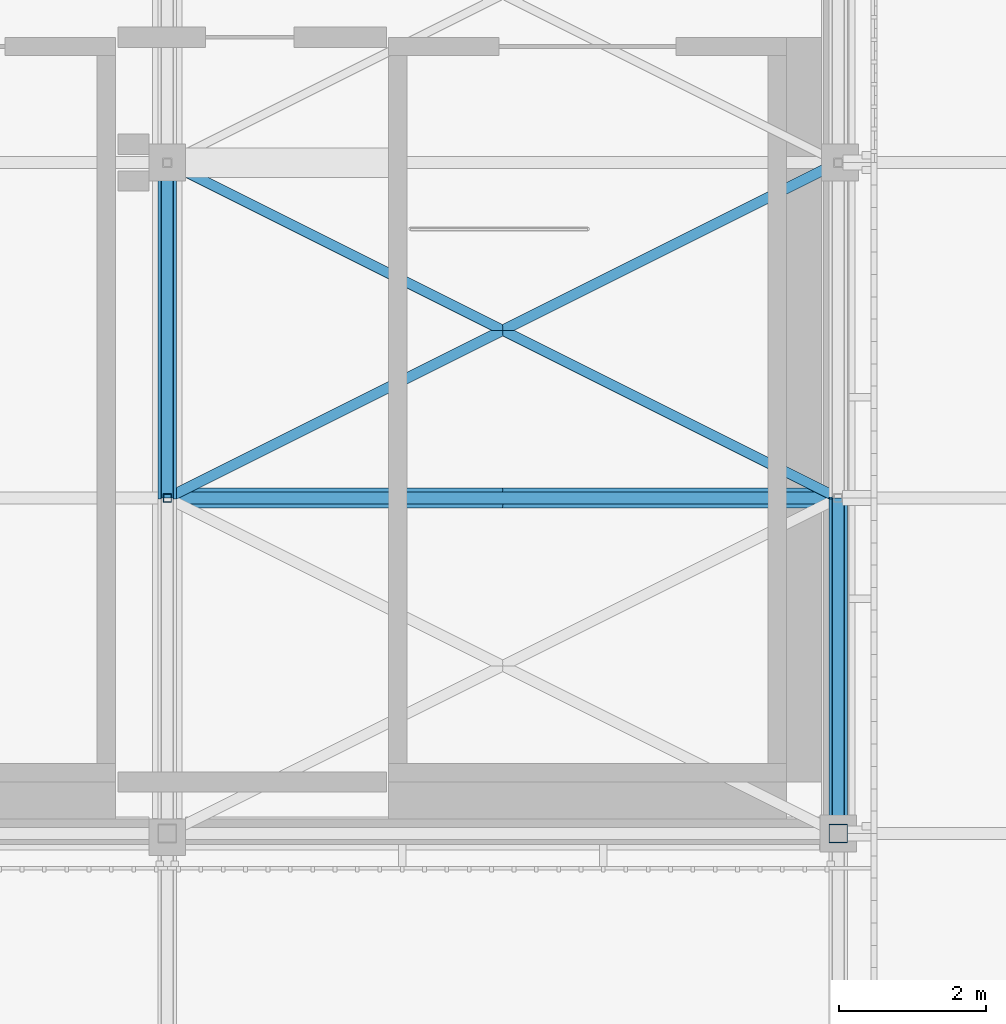
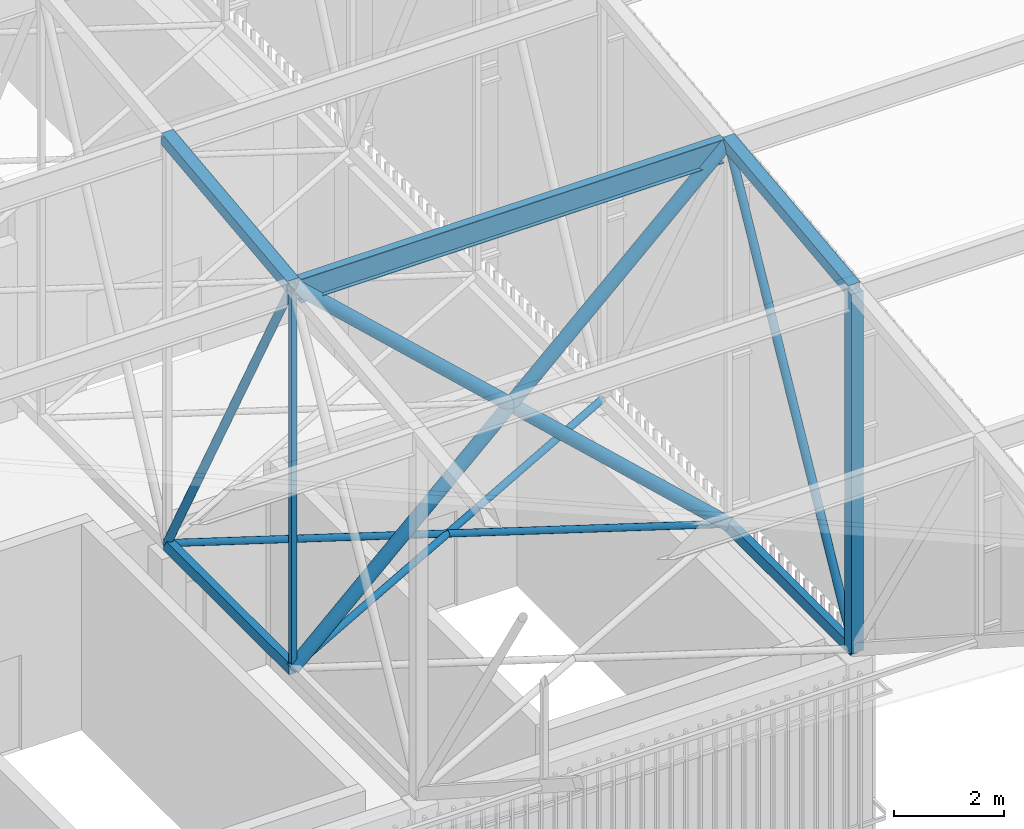
# One storey, part 333 of 500: 13 members.
"""IFC4 building model written with IfcOpenShell, lengths in metres."""

from ifc_helpers import new_model, si_unit, direction, frame, origin, origin_2d, place, context, subcontext, project, spatial, hollow_rectangle, hollow_circle, i_section, extrude, material, material_profile, profile_set, type_object, element, save


model = new_model("IFC4")

# Units and contexts
model_context = context("Model", 3, precision=1e-05, world=origin(), true_north=direction((0.0, 1.0)))
body_context = subcontext(model_context, "Body", "Model", "MODEL_VIEW")
ifc_project = project(units=[si_unit("LENGTHUNIT", "METRE"), si_unit("AREAUNIT", "SQUARE_METRE"), si_unit("VOLUMEUNIT", "CUBIC_METRE"), si_unit("PLANEANGLEUNIT", "RADIAN"), si_unit("MASSUNIT", "GRAM", prefix="KILO")], contexts=[model_context])

# Site, building, storey
site_placement = place(None, origin())
site = spatial("IfcSite", under=ifc_project, at=site_placement, CompositionType="ELEMENT")
building_placement = place(site_placement, origin())
building = spatial("IfcBuilding", under=site, at=building_placement, Name="Shirokan Park Arena", CompositionType="ELEMENT")
storey_placement = place(building_placement, frame((0.0, 0.0, 29.1201171875)))
storey = spatial("IfcBuildingStorey", under=building, at=storey_placement, Name="L06", CompositionType="ELEMENT", Elevation=29.1201171875)

# Members
ifc_material_1 = material(Name="Steel ASTM A500 Grade C", Category="steel")
ifc_material_profile_1 = material_profile(ifc_material_1, hollow_circle(Radius=0.136474609375, WallThickness=0.009521484375, at=origin_2d()), Name="HSS273.1X9.5")
ifc_profile_set_1 = profile_set([ifc_material_profile_1], Name="Steel ASTM A500 Grade C")
member_type_1 = type_object("IfcMemberType", Name="Bearing bracing HSS273.1X9.5", PredefinedType="BRACE", material=ifc_profile_set_1)
for number, where, z_axis, x_axis, name in (
    (1, (136.5, 4.550048828125, 4.677001953125), (0.732162134473, 0.0, 0.681130390486), (0.0, 1.0, 0.0), "Bearing bracing bay 16 node 4 A"),
    (2, (145.60009765625, 4.550048828125, 4.677001953125), (-0.732162134473, 0.0, 0.681130390486), (0.0, -1.0, 0.0), "Bearing bracing bay 16 node 4 B"),
):
    element("IfcMember", number, at=place(storey_placement, frame(where, z_axis=z_axis, x_axis=x_axis)), inside=storey, type_object=member_type_1, Name=name, PredefinedType="BRACE", context=body_context, shape_type="SweptSolid", body=[
        extrude(hollow_circle(Radius=0.136474609375, WallThickness=0.009521484375, at=origin_2d()), origin(), (0.0, 0.0, 1.0), 12.428955078125),
    ])
ifc_material_profile_2 = material_profile(ifc_material_1, hollow_rectangle(XDim=0.152099609375, YDim=0.25390625, WallThickness=0.009521484375, at=origin_2d()), Name="HSS254X152.4X9.5")
ifc_profile_set_2 = profile_set([ifc_material_profile_2], Name="Steel ASTM A500 Grade C")
member_type_2 = type_object("IfcMemberType", Name="Bottom chord HSS254X152.4X9.5", PredefinedType="CHORD", material=ifc_profile_set_2)
for number, where, z_axis, x_axis, name in (
    (3, (136.5, 4.550048828125, 4.677001953125), (0.0, 1.0, 0.0), (-1.0, 0.0, 0.0), "Truss T16 bottom chord 4"),
    (4, (145.60009765625, 0.0, 4.677001953125), (0.0, 1.0, 0.0), (-1.0, 0.0, 0.0), "Truss T17 bottom chord 3"),
):
    element("IfcMember", number, at=place(storey_placement, frame(where, z_axis=z_axis, x_axis=x_axis)), inside=storey, type_object=member_type_2, Name=name, PredefinedType="CHORD", context=body_context, shape_type="SweptSolid", body=[
        extrude(hollow_rectangle(XDim=0.152099609375, YDim=0.25390625, WallThickness=0.009521484375, at=origin_2d()), origin(), (0.0, 0.0, 1.0), 4.550048828125),
    ])
ifc_material_profile_3 = material_profile(ifc_material_1, hollow_circle(Radius=0.070556640625, WallThickness=0.009521484375, at=origin_2d()), Name="HSS141.3X9.5")
ifc_profile_set_3 = profile_set([ifc_material_profile_3], Name="Steel ASTM A500 Grade C")
member_type_3 = type_object("IfcMemberType", Name="Plan bracing HSS141.3X9.5", PredefinedType="BRACE", material=ifc_profile_set_3)
for number, where, z_axis, x_axis, name in (
    (5, (136.5, 4.550048828125, 4.677001953125), (0.894427191, 0.4472135955, 0.0), (-0.4472135955, 0.894427191, 0.0), "Plan bracing bay 16 panel 4 A"),
    (6, (145.60009765625, 4.550048828125, 4.677001953125), (-0.894427191, 0.4472135955, 0.0), (-0.4472135955, -0.894427191, 0.0), "Plan bracing bay 16 panel 4 B"),
):
    element("IfcMember", number, at=place(storey_placement, frame(where, z_axis=z_axis, x_axis=x_axis)), inside=storey, type_object=member_type_3, Name=name, PredefinedType="BRACE", context=body_context, shape_type="SweptSolid", body=[
        extrude(hollow_circle(Radius=0.070556640625, WallThickness=0.009521484375, at=origin_2d()), origin(), (0.0, 0.0, 1.0), 10.17431640625),
    ])
ifc_material_2 = material(Name="Steel ASTM A992", Category="steel")
ifc_material_profile_4 = material_profile(ifc_material_2, i_section(OverallWidth=0.166015625, OverallDepth=0.528076171875, WebThickness=0.009765625, FlangeThickness=0.013671875, at=origin_2d()), Name="W530X74")
ifc_profile_set_4 = profile_set([ifc_material_profile_4], Name="Steel ASTM A992")
member_type_4 = type_object("IfcMemberType", Name="Purlin W530X74", PredefinedType="PURLIN", material=ifc_profile_set_4)
member_1_placement = place(storey_placement, frame((136.626953125, 4.550048828125, 13.005859375), z_axis=(1.0, 0.0, 0.0), x_axis=(0.0, 1.0, 0.0)))
element("IfcMember", 7, at=member_1_placement, inside=storey, type_object=member_type_4, Name="Purlin 4 bay 16", PredefinedType="PURLIN", context=body_context, shape_type="SweptSolid", body=[
    extrude(i_section(OverallWidth=0.166015625, OverallDepth=0.528076171875, WebThickness=0.009765625, FlangeThickness=0.013671875, at=origin_2d()), origin(), (0.0, 0.0, 1.0), 8.845947265625),
])
ifc_material_profile_5 = material_profile(ifc_material_1, hollow_rectangle(XDim=0.25390625, YDim=0.25390625, WallThickness=0.009521484375, at=origin_2d()), Name="HSS254X254X9.5")
ifc_profile_set_5 = profile_set([ifc_material_profile_5], Name="Steel ASTM A500 Grade C")
member_type_5 = type_object("IfcMemberType", Name="Top chord HSS254X254X9.5", PredefinedType="CHORD", material=ifc_profile_set_5)
for number, where, z_axis, x_axis, name in (
    (8, (136.5, 4.550048828125, 13.142822265625), (0.0, 0.993532328996, 0.113549598152), (-1.0, 0.0, 0.0), "Truss T16 top chord 4"),
    (9, (145.60009765625, 0.0, 12.622802734375), (0.0, 0.993532328996, 0.113549598152), (-1.0, 0.0, 0.0), "Truss T17 top chord 3"),
):
    element("IfcMember", number, at=place(storey_placement, frame(where, z_axis=z_axis, x_axis=x_axis)), inside=storey, type_object=member_type_5, Name=name, PredefinedType="CHORD", context=body_context, shape_type="SweptSolid", body=[
        extrude(hollow_rectangle(XDim=0.25390625, YDim=0.25390625, WallThickness=0.009521484375, at=origin_2d()), origin(), (0.0, 0.0, 1.0), 4.57958984375),
    ])
ifc_material_profile_6 = material_profile(ifc_material_1, hollow_circle(Radius=0.083984375, WallThickness=0.009521484375, at=origin_2d()), Name="HSS168.3X9.5")
ifc_profile_set_6 = profile_set([ifc_material_profile_6], Name="Steel ASTM A500 Grade C")
member_type_6 = type_object("IfcMemberType", Name="Truss diagonal HSS168.3X9.5", PredefinedType="BRACE", material=ifc_profile_set_6)
for number, where, z_axis, x_axis, name in (
    (10, (136.5, 4.550048828125, 13.142822265625), (0.0, 0.473416507165, -0.880838697347), (-1.0, 0.0, 0.0), "Truss T16 diagonal 4"),
    (11, (145.60009765625, 0.0, 4.677001953125), (0.0, 0.473416507165, 0.880838697347), (-1.0, 0.0, 0.0), "Truss T17 diagonal 3"),
):
    element("IfcMember", number, at=place(storey_placement, frame(where, z_axis=z_axis, x_axis=x_axis)), inside=storey, type_object=member_type_6, Name=name, PredefinedType="BRACE", context=body_context, shape_type="SweptSolid", body=[
        extrude(hollow_circle(Radius=0.083984375, WallThickness=0.009521484375, at=origin_2d()), origin(), (0.0, 0.0, 1.0), 9.611083984375),
    ])
ifc_material_profile_7 = material_profile(ifc_material_1, hollow_rectangle(XDim=0.114013671875, YDim=0.114013671875, WallThickness=0.00634765625, at=origin_2d()), Name="HSS114.3X114.3X6.4")
ifc_profile_set_7 = profile_set([ifc_material_profile_7], Name="Steel ASTM A500 Grade C")
member_type_7 = type_object("IfcMemberType", Name="Truss post HSS114.3X114.3X6.4", PredefinedType="POST", material=ifc_profile_set_7)
member_2_placement = place(storey_placement, frame((136.5, 4.550048828125, 4.677001953125), z_axis=(0.0, 0.0, 1.0), x_axis=(1.0, 0.0, 0.0)))
element("IfcMember", 12, at=member_2_placement, inside=storey, type_object=member_type_7, Name="Truss T16 post 4", PredefinedType="POST", context=body_context, shape_type="SweptSolid", body=[
    extrude(hollow_rectangle(XDim=0.114013671875, YDim=0.114013671875, WallThickness=0.00634765625, at=origin_2d()), origin(), (0.0, 0.0, 1.0), 8.4658203125),
])
ifc_material_profile_8 = material_profile(ifc_material_1, hollow_rectangle(XDim=0.25390625, YDim=0.25390625, WallThickness=0.009521484375, at=origin_2d()), Name="HSS254X254X9.5")
ifc_profile_set_8 = profile_set([ifc_material_profile_8], Name="Steel ASTM A500 Grade C")
member_type_8 = type_object("IfcMemberType", Name="Truss post HSS254X254X9.5", PredefinedType="POST", material=ifc_profile_set_8)
member_3_placement = place(storey_placement, frame((145.60009765625, 0.0, 4.677001953125), z_axis=(0.0, 0.0, 1.0), x_axis=(1.0, 0.0, 0.0)))
element("IfcMember", 13, at=member_3_placement, inside=storey, type_object=member_type_8, Name="Truss T17 post 3", PredefinedType="POST", context=body_context, shape_type="SweptSolid", body=[
    extrude(hollow_rectangle(XDim=0.25390625, YDim=0.25390625, WallThickness=0.009521484375, at=origin_2d()), origin(), (0.0, 0.0, 1.0), 7.94580078125),
])

save(model, "model.ifc")
